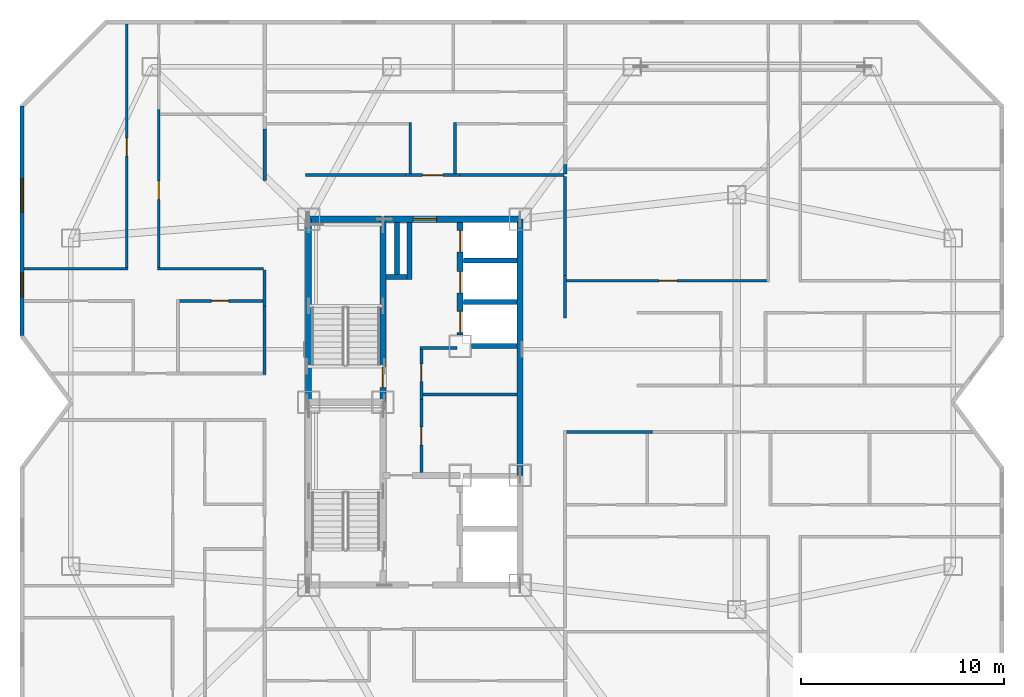
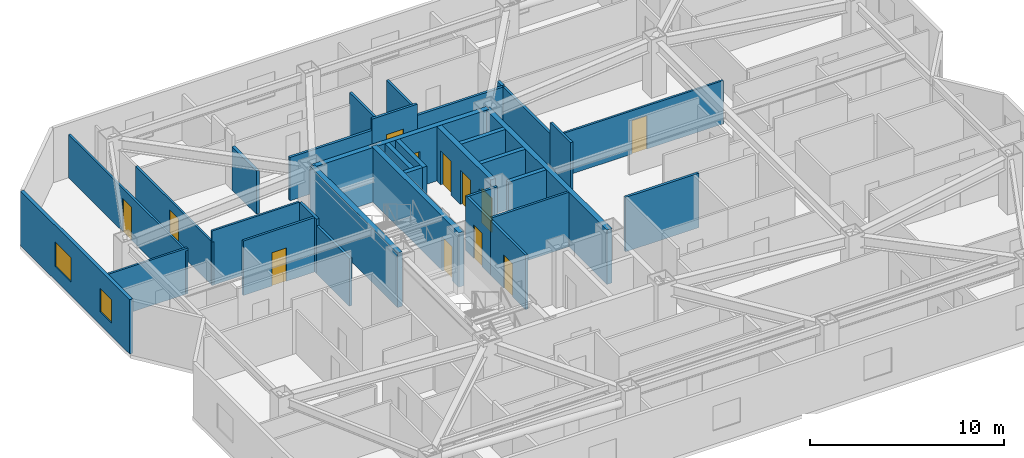
# One storey, part 7 of 11: 34 walls, 12 doors, 2 windows, 14 openings.
"""IFC4 building model written with IfcOpenShell, lengths in metres."""

from ifc_helpers import new_model, si_unit, direction, frame, frame_2d, origin, place, context, subcontext, project, spatial, rectangle, extrude, material, layer, layer_set, type_object, element, fill, save


model = new_model("IFC4")

# Units and contexts
model_context = context("Model", 3, precision=1e-05, world=origin(), true_north=direction((0.0, 1.0)))
body_context = subcontext(model_context, "Body", "Model", "MODEL_VIEW")
ifc_project = project(units=[si_unit("LENGTHUNIT", "METRE"), si_unit("AREAUNIT", "SQUARE_METRE"), si_unit("VOLUMEUNIT", "CUBIC_METRE"), si_unit("PLANEANGLEUNIT", "RADIAN"), si_unit("MASSUNIT", "GRAM", prefix="KILO")], contexts=[model_context])

# Site, building, storey
site_placement = place(None, origin())
site = spatial("IfcSite", under=ifc_project, at=site_placement, CompositionType="ELEMENT")
building_placement = place(site_placement, origin())
building = spatial("IfcBuilding", under=site, at=building_placement, Name="Khamvora Tower", CompositionType="ELEMENT")
storey_placement = place(building_placement, frame((0.0, 0.0, 163.199951171875)))
storey = spatial("IfcBuildingStorey", under=building, at=storey_placement, Name="L41", CompositionType="ELEMENT", Elevation=163.199951171875)

# Wall
ifc_material_1 = material(Name="Concrete C50/60", Category="concrete")
ifc_layer_1 = layer(ifc_material_1, 0.300048828125)
ifc_layer_set_1 = layer_set([ifc_layer_1], Name="Concrete C50/60")
wall_type_1 = type_object("IfcWallType", Name="WAL-CORE-300", PredefinedType="SHEAR", material=ifc_layer_set_1)
wall_1_placement = place(storey_placement, frame((29.0, 28.0, 0.0), z_axis=(0.0, 0.0, 1.0), x_axis=(0.0, 1.0, 0.0)))
element("IfcWall", 1, at=wall_1_placement, inside=storey, type_object=wall_type_1, Name="L41 central core west north wall", PredefinedType="SHEAR", context=body_context, shape_type="SweptSolid", body=[
    extrude(rectangle(XDim=9.0, YDim=0.300048828125, at=frame_2d((4.5, 0.0))), origin(), (0.0, 0.0, 1.0), 3.429931640625),
])

# Wall, opening, door
wall_2_placement = place(storey_placement, frame((29.0, 37.0, 0.0), z_axis=(0.0, 0.0, 1.0), x_axis=(1.0, 0.0, 0.0)))
wall_2 = element("IfcWall", 2, at=wall_2_placement, inside=storey, type_object=wall_type_1, Name="L41 central core north wall", PredefinedType="SHEAR", context=body_context, shape_type="SweptSolid", body=[
    extrude(rectangle(XDim=10.39990234375, YDim=0.300048828125, at=frame_2d((5.199951171875, 0.0))), origin(), (0.0, 0.0, 1.0), 3.429931640625),
])
opening_1_placement = place(wall_2_placement, frame((5.139892578125, 0.0, 0.0)))
opening_1 = element("IfcOpeningElement", 3, at=opening_1_placement, cuts=wall_2, Name="Opening D-SC1", PredefinedType="OPENING", context=body_context, shape_type="SweptSolid", body=[
    extrude(rectangle(XDim=1.14990234375, YDim=2.199951171875, at=frame_2d((0.574951171875, 1.10009765625))), frame((0.0, 0.159912109375, 0.0), z_axis=(0.0, -1.0, 0.0), x_axis=(1.0, 0.0, 0.0)), (0.0, 0.0, 1.0), 0.320068359375),
])
ifc_material_2 = material(Name="Powder-Coated Steel and Hardwood Leaf", Category="steel")
door_type_1 = type_object("IfcDoorType", Name="DOR-SCHL-1150", OperationType="NOTDEFINED", PredefinedType="DOOR", material=ifc_material_2)
door_1_placement = place(opening_1_placement, origin())
door_1 = element("IfcDoor", 4, at=door_1_placement, inside=storey, type_object=door_type_1, Name="L41 north core lobby to corridor fire door", OperationType="SINGLE_SWING_RIGHT", OverallHeight=2.199951171875, OverallWidth=1.14990234375, PredefinedType="DOOR", context=body_context, shape_type="SweptSolid", body=[
    extrude(rectangle(XDim=1.14990234375, YDim=2.199951171875, at=frame_2d((0.574951171875, 1.10009765625))), frame((0.0, 0.02490234375, 0.0), z_axis=(0.0, -1.0, 0.0), x_axis=(1.0, 0.0, 0.0)), (0.0, 0.0, 1.0), 0.050048828125),
])
fill(opening_1, door_1)

# Wall
wall_3_placement = place(storey_placement, frame((39.39990234375, 24.39990234375, 0.0), z_axis=(0.0, 0.0, 1.0), x_axis=(0.0, 1.0, 0.0)))
element("IfcWall", 5, at=wall_3_placement, inside=storey, type_object=wall_type_1, Name="L41 central core east north wall", PredefinedType="SHEAR", context=body_context, shape_type="SweptSolid", body=[
    extrude(rectangle(XDim=12.60009765625, YDim=0.300048828125, at=frame_2d((6.300048828125, 0.0))), origin(), (0.0, 0.0, 1.0), 3.429931640625),
])

# Wall, opening, door
wall_4_placement = place(storey_placement, frame((32.64990234375, 28.0, 0.0), z_axis=(0.0, 0.0, 1.0), x_axis=(0.0, 1.0, 0.0)))
wall_4 = element("IfcWall", 6, at=wall_4_placement, inside=storey, type_object=wall_type_1, Name="L41 central core stair north spine wall", PredefinedType="SHEAR", context=body_context, shape_type="SweptSolid", body=[
    extrude(rectangle(XDim=9.0, YDim=0.300048828125, at=frame_2d((4.5, 0.0))), origin(), (0.0, 0.0, 1.0), 3.429931640625),
])
opening_2_placement = place(wall_4_placement, frame((0.719970703125, 0.0, 0.0)))
opening_2 = element("IfcOpeningElement", 7, at=opening_2_placement, cuts=wall_4, Name="Opening D-ST1", PredefinedType="OPENING", context=body_context, shape_type="SweptSolid", body=[
    extrude(rectangle(XDim=1.0, YDim=2.14990234375, at=frame_2d((0.5, 1.074951171875))), frame((0.0, 0.159912109375, 0.0), z_axis=(0.0, -1.0, 0.0), x_axis=(1.0, 0.0, 0.0)), (0.0, 0.0, 1.0), 0.320068359375),
])
door_type_2 = type_object("IfcDoorType", Name="DOR-STAIR-1000", OperationType="NOTDEFINED", PredefinedType="DOOR", material=ifc_material_2)
door_2_placement = place(opening_2_placement, origin())
door_2 = element("IfcDoor", 8, at=door_2_placement, inside=storey, type_object=door_type_2, Name="L41 exit stair ST-02 fire door", OperationType="SINGLE_SWING_RIGHT", OverallHeight=2.14990234375, OverallWidth=1.0, PredefinedType="DOOR", context=body_context, shape_type="SweptSolid", body=[
    extrude(rectangle(XDim=1.0, YDim=2.14990234375, at=frame_2d((0.5, 1.074951171875))), frame((0.0, 0.02490234375, 0.0), z_axis=(0.0, -1.0, 0.0), x_axis=(1.0, 0.0, 0.0)), (0.0, 0.0, 1.0), 0.050048828125),
])
fill(opening_2, door_2)

# Wall, openings, doors
wall_5_placement = place(storey_placement, frame((36.449951171875, 31.300048828125, 0.0), z_axis=(0.0, 0.0, 1.0), x_axis=(0.0, 1.0, 0.0)))
wall_5 = element("IfcWall", 9, at=wall_5_placement, inside=storey, type_object=wall_type_1, Name="L41 central core lift bank central wall", PredefinedType="SHEAR", context=body_context, shape_type="SweptSolid", body=[
    extrude(rectangle(XDim=5.5458984375, YDim=0.300048828125, at=frame_2d((2.77294921875, 0.0))), origin(), (0.0, 0.0, 1.0), 3.429931640625),
])
opening_3_placement = place(wall_5_placement, frame((0.1201171875, 0.0, 0.0)))
opening_3 = element("IfcOpeningElement", 10, at=opening_3_placement, cuts=wall_5, Name="Opening LD-PL", PredefinedType="OPENING", context=body_context, shape_type="SweptSolid", body=[
    extrude(rectangle(XDim=1.050048828125, YDim=2.14990234375, at=frame_2d((0.52490234375, 1.074951171875))), frame((0.0, 0.159912109375, 0.0), z_axis=(0.0, -1.0, 0.0), x_axis=(1.0, 0.0, 0.0)), (0.0, 0.0, 1.0), 0.320068359375),
])
opening_4_placement = place(wall_5_placement, frame((2.074951171875, 0.0, 0.0)))
opening_4 = element("IfcOpeningElement", 11, at=opening_4_placement, cuts=wall_5, Name="Opening LD-PL", PredefinedType="OPENING", context=body_context, shape_type="SweptSolid", body=[
    extrude(rectangle(XDim=1.050048828125, YDim=2.14990234375, at=frame_2d((0.52490234375, 1.074951171875))), frame((0.0, 0.159912109375, 0.0), z_axis=(0.0, -1.0, 0.0), x_axis=(1.0, 0.0, 0.0)), (0.0, 0.0, 1.0), 0.320068359375),
])
opening_5_placement = place(wall_5_placement, frame((4.094970703125, 0.0, 0.0)))
opening_5 = element("IfcOpeningElement", 12, at=opening_5_placement, cuts=wall_5, Name="Opening LD-PL", PredefinedType="OPENING", context=body_context, shape_type="SweptSolid", body=[
    extrude(rectangle(XDim=1.050048828125, YDim=2.14990234375, at=frame_2d((0.52490234375, 1.074951171875))), frame((0.0, 0.159912109375, 0.0), z_axis=(0.0, -1.0, 0.0), x_axis=(1.0, 0.0, 0.0)), (0.0, 0.0, 1.0), 0.320068359375),
])
door_type_3 = type_object("IfcDoorType", Name="DOR-LIFT-1050", OperationType="SLIDING_TO_LEFT", PredefinedType="DOOR", material=ifc_material_2)
door_3_placement = place(opening_3_placement, origin())
door_3 = element("IfcDoor", 13, at=door_3_placement, inside=storey, type_object=door_type_3, Name="L41 lift landing sliding door PH-01", OperationType="SLIDING_TO_LEFT", OverallHeight=2.14990234375, OverallWidth=1.050048828125, PredefinedType="DOOR", context=body_context, shape_type="SweptSolid", body=[
    extrude(rectangle(XDim=1.050048828125, YDim=2.14990234375, at=frame_2d((0.52490234375, 1.074951171875))), frame((0.0, 0.02490234375, 0.0), z_axis=(0.0, -1.0, 0.0), x_axis=(1.0, 0.0, 0.0)), (0.0, 0.0, 1.0), 0.050048828125),
])
fill(opening_3, door_3)
door_4_placement = place(opening_4_placement, origin())
door_4 = element("IfcDoor", 14, at=door_4_placement, inside=storey, type_object=door_type_3, Name="L41 lift landing sliding door PH-02", OperationType="SLIDING_TO_LEFT", OverallHeight=2.14990234375, OverallWidth=1.050048828125, PredefinedType="DOOR", context=body_context, shape_type="SweptSolid", body=[
    extrude(rectangle(XDim=1.050048828125, YDim=2.14990234375, at=frame_2d((0.52490234375, 1.074951171875))), frame((0.0, 0.02490234375, 0.0), z_axis=(0.0, -1.0, 0.0), x_axis=(1.0, 0.0, 0.0)), (0.0, 0.0, 1.0), 0.050048828125),
])
fill(opening_4, door_4)
door_5_placement = place(opening_5_placement, origin())
door_5 = element("IfcDoor", 15, at=door_5_placement, inside=storey, type_object=door_type_3, Name="L41 lift landing sliding door PH-03", OperationType="SLIDING_TO_LEFT", OverallHeight=2.14990234375, OverallWidth=1.050048828125, PredefinedType="DOOR", context=body_context, shape_type="SweptSolid", body=[
    extrude(rectangle(XDim=1.050048828125, YDim=2.14990234375, at=frame_2d((0.52490234375, 1.074951171875))), frame((0.0, 0.02490234375, 0.0), z_axis=(0.0, -1.0, 0.0), x_axis=(1.0, 0.0, 0.0)), (0.0, 0.0, 1.0), 0.050048828125),
])
fill(opening_5, door_5)

# Wall
ifc_material_3 = material(Name="Fire-Rated Drywall and Steel Stud", Category="steel")
ifc_layer_2 = layer(ifc_material_3, 0.14990234375)
ifc_layer_set_2 = layer_set([ifc_layer_2], Name="Fire-Rated Drywall and Steel Stud")
wall_type_2 = type_object("IfcWallType", Name="WAL-CORR-150", PredefinedType="STANDARD", material=ifc_layer_set_2)
wall_6_placement = place(storey_placement, frame((36.300048828125, 30.6650390625, 0.0), z_axis=(0.0, 0.0, 1.0), x_axis=(-1.0, 0.0, 0.0)))
element("IfcWall", 16, at=wall_6_placement, inside=storey, type_object=wall_type_2, Name="L41 interior partition wall 001", PredefinedType="STANDARD", context=body_context, shape_type="SweptSolid", body=[
    extrude(rectangle(XDim=1.820068359375, YDim=0.14990234375, at=frame_2d((0.91015625, 0.0))), origin(), (0.0, 0.0, 1.0), 3.429931640625),
])

# Wall, opening, door
wall_7_placement = place(storey_placement, frame((34.544921875, 30.72998046875, 0.0), z_axis=(0.0, 0.0, 1.0), x_axis=(0.0, -1.0, 0.0)))
wall_7 = element("IfcWall", 17, at=wall_7_placement, inside=storey, type_object=wall_type_2, Name="L41 interior partition wall 002", PredefinedType="STANDARD", context=body_context, shape_type="SweptSolid", body=[
    extrude(rectangle(XDim=2.593994140625, YDim=0.14990234375, at=frame_2d((1.296875, 0.0))), origin(), (0.0, 0.0, 1.0), 3.429931640625),
])
opening_6_placement = place(wall_7_placement, frame((0.85107421875, 0.0, 0.0)))
opening_6 = element("IfcOpeningElement", 18, at=opening_6_placement, cuts=wall_7, Name="Opening D-WC1", PredefinedType="OPENING", context=body_context, shape_type="SweptSolid", body=[
    extrude(rectangle(XDim=0.85009765625, YDim=2.10009765625, at=frame_2d((0.425048828125, 1.050048828125))), frame((0.0, 0.0849609375, 0.0), z_axis=(0.0, -1.0, 0.0), x_axis=(1.0, 0.0, 0.0)), (0.0, 0.0, 1.0), 0.169921875),
])
door_type_4 = type_object("IfcDoorType", Name="DOR-WET-850", OperationType="NOTDEFINED", PredefinedType="DOOR", material=ifc_material_2)
door_6_placement = place(opening_6_placement, origin())
door_6 = element("IfcDoor", 19, at=door_6_placement, inside=storey, type_object=door_type_4, Name="L41 interior door PHL-CS1", OperationType="SINGLE_SWING_LEFT", OverallHeight=2.10009765625, OverallWidth=0.85009765625, PredefinedType="DOOR", context=body_context, shape_type="SweptSolid", body=[
    extrude(rectangle(XDim=0.85009765625, YDim=2.10009765625, at=frame_2d((0.425048828125, 1.050048828125))), frame((0.0, 0.02490234375, 0.0), z_axis=(0.0, -1.0, 0.0), x_axis=(1.0, 0.0, 0.0)), (0.0, 0.0, 1.0), 0.050048828125),
])
fill(opening_6, door_6)

wall_8_placement = place(storey_placement, frame((34.544921875, 28.135986328125, 0.0), z_axis=(0.0, 0.0, 1.0), x_axis=(0.0, -1.0, 0.0)))
wall_8 = element("IfcWall", 20, at=wall_8_placement, inside=storey, type_object=wall_type_2, Name="L41 interior partition wall 003", PredefinedType="STANDARD", context=body_context, shape_type="SweptSolid", body=[
    extrude(rectangle(XDim=3.592041015625, YDim=0.14990234375, at=frame_2d((1.7958984375, 0.0))), origin(), (0.0, 0.0, 1.0), 3.429931640625),
])
opening_7_placement = place(wall_8_placement, frame((1.345947265625, 0.0, 0.0)))
opening_7 = element("IfcOpeningElement", 21, at=opening_7_placement, cuts=wall_8, Name="Opening D-RM1", PredefinedType="OPENING", context=body_context, shape_type="SweptSolid", body=[
    extrude(rectangle(XDim=0.89990234375, YDim=2.10009765625, at=frame_2d((0.449951171875, 1.050048828125))), frame((0.0, 0.0849609375, 0.0), z_axis=(0.0, -1.0, 0.0), x_axis=(1.0, 0.0, 0.0)), (0.0, 0.0, 1.0), 0.169921875),
])
door_type_5 = type_object("IfcDoorType", Name="DOR-ROOM-900", OperationType="NOTDEFINED", PredefinedType="DOOR", material=ifc_material_2)
door_7_placement = place(opening_7_placement, origin())
door_7 = element("IfcDoor", 22, at=door_7_placement, inside=storey, type_object=door_type_5, Name="L41 interior door PHL-CS2", OperationType="SINGLE_SWING_RIGHT", OverallHeight=2.10009765625, OverallWidth=0.89990234375, PredefinedType="DOOR", context=body_context, shape_type="SweptSolid", body=[
    extrude(rectangle(XDim=0.89990234375, YDim=2.10009765625, at=frame_2d((0.449951171875, 1.050048828125))), frame((0.0, 0.02490234375, 0.0), z_axis=(0.0, -1.0, 0.0), x_axis=(1.0, 0.0, 0.0)), (0.0, 0.0, 1.0), 0.050048828125),
])
fill(opening_7, door_7)

# Walls
wall_9_placement = place(storey_placement, frame((26.8349609375, 32.73388671875, 0.0), z_axis=(0.0, 0.0, 1.0), x_axis=(0.0, 1.0, 0.0)))
element("IfcWall", 23, at=wall_9_placement, inside=storey, type_object=wall_type_2, Name="L41 interior partition wall 012", PredefinedType="STANDARD", context=body_context, shape_type="SweptSolid", body=[
    extrude(rectangle(XDim=1.76611328125, YDim=0.14990234375, at=frame_2d((0.883056640625, 0.0))), origin(), (0.0, 0.0, 1.0), 3.429931640625),
])
wall_10_placement = place(storey_placement, frame((26.8349609375, 29.35205078125, 0.0), z_axis=(0.0, 0.0, 1.0), x_axis=(0.0, 1.0, 0.0)))
element("IfcWall", 24, at=wall_10_placement, inside=storey, type_object=wall_type_2, Name="L41 interior partition wall 014", PredefinedType="STANDARD", context=body_context, shape_type="SweptSolid", body=[
    extrude(rectangle(XDim=3.3818359375, YDim=0.14990234375, at=frame_2d((1.69091796875, 0.0))), origin(), (0.0, 0.0, 1.0), 3.012939453125),
])

# Wall, opening, door
wall_11_placement = place(storey_placement, frame((33.75, 39.1650390625, 0.0), z_axis=(0.0, 0.0, 1.0), x_axis=(1.0, 0.0, 0.0)))
wall_11 = element("IfcWall", 25, at=wall_11_placement, inside=storey, type_object=wall_type_2, Name="L41 interior partition wall 019", PredefinedType="STANDARD", context=body_context, shape_type="SweptSolid", body=[
    extrude(rectangle(XDim=2.697998046875, YDim=0.14990234375, at=frame_2d((1.34912109375, 0.0))), origin(), (0.0, 0.0, 1.0), 3.429931640625),
])
opening_8_placement = place(wall_11_placement, frame((0.84912109375, 0.0, 0.0)))
opening_8 = element("IfcOpeningElement", 26, at=opening_8_placement, cuts=wall_11, Name="Opening D-U1", PredefinedType="OPENING", context=body_context, shape_type="SweptSolid", body=[
    extrude(rectangle(XDim=1.0, YDim=2.14990234375, at=frame_2d((0.5, 1.074951171875))), frame((0.0, 0.0849609375, 0.0), z_axis=(0.0, -1.0, 0.0), x_axis=(1.0, 0.0, 0.0)), (0.0, 0.0, 1.0), 0.169921875),
])
door_type_6 = type_object("IfcDoorType", Name="DOR-UNIT-1000", OperationType="NOTDEFINED", PredefinedType="DOOR", material=ifc_material_2)
door_8_placement = place(opening_8_placement, origin())
door_8 = element("IfcDoor", 27, at=door_8_placement, inside=storey, type_object=door_type_6, Name="L41 interior door COR-41NAH", OperationType="SINGLE_SWING_RIGHT", OverallHeight=2.14990234375, OverallWidth=1.0, PredefinedType="DOOR", context=body_context, shape_type="SweptSolid", body=[
    extrude(rectangle(XDim=1.0, YDim=2.14990234375, at=frame_2d((0.5, 1.074951171875))), frame((0.0, 0.02490234375, 0.0), z_axis=(0.0, -1.0, 0.0), x_axis=(1.0, 0.0, 0.0)), (0.0, 0.0, 1.0), 0.050048828125),
])
fill(opening_8, door_8)

# Walls
wall_12_placement = place(storey_placement, frame((36.447998046875, 39.1650390625, 0.0), z_axis=(0.0, 0.0, 1.0), x_axis=(1.0, 0.0, 0.0)))
element("IfcWall", 28, at=wall_12_placement, inside=storey, type_object=wall_type_2, Name="L41 interior partition wall 020", PredefinedType="STANDARD", context=body_context, shape_type="SweptSolid", body=[
    extrude(rectangle(XDim=5.10205078125, YDim=0.14990234375, at=frame_2d((2.551025390625, 0.0))), origin(), (0.0, 0.0, 1.0), 2.72509765625),
])
wall_13_placement = place(storey_placement, frame((28.85009765625, 39.1650390625, 0.0), z_axis=(0.0, 0.0, 1.0), x_axis=(1.0, 0.0, 0.0)))
element("IfcWall", 29, at=wall_13_placement, inside=storey, type_object=wall_type_2, Name="L41 interior partition wall 021", PredefinedType="STANDARD", context=body_context, shape_type="SweptSolid", body=[
    extrude(rectangle(XDim=4.89990234375, YDim=0.14990234375, at=frame_2d((2.449951171875, 0.0))), origin(), (0.0, 0.0, 1.0), 2.72509765625),
])
wall_14_placement = place(storey_placement, frame((45.902099609375, 26.534912109375, 0.0), z_axis=(0.0, 0.0, 1.0), x_axis=(-1.0, 0.0, 0.0)))
element("IfcWall", 30, at=wall_14_placement, inside=storey, type_object=wall_type_2, Name="L41 interior partition wall 022", PredefinedType="STANDARD", context=body_context, shape_type="SweptSolid", body=[
    extrude(rectangle(XDim=4.35205078125, YDim=0.14990234375, at=frame_2d((2.176025390625, 0.0))), origin(), (0.0, 0.0, 1.0), 3.429931640625),
])
wall_15_placement = place(storey_placement, frame((41.614990234375, 34.22412109375, 0.0), z_axis=(0.0, 0.0, 1.0), x_axis=(0.0, -1.0, 0.0)))
element("IfcWall", 31, at=wall_15_placement, inside=storey, type_object=wall_type_2, Name="L41 interior partition wall 031", PredefinedType="STANDARD", context=body_context, shape_type="SweptSolid", body=[
    extrude(rectangle(XDim=2.078125, YDim=0.14990234375, at=frame_2d((1.0390625, 0.0))), origin(), (0.0, 0.0, 1.0), 3.429931640625),
])
wall_16_placement = place(storey_placement, frame((41.614990234375, 39.10009765625, 0.0), z_axis=(0.0, 0.0, 1.0), x_axis=(0.0, -1.0, 0.0)))
element("IfcWall", 32, at=wall_16_placement, inside=storey, type_object=wall_type_2, Name="L41 interior partition wall 035", PredefinedType="STANDARD", context=body_context, shape_type="SweptSolid", body=[
    extrude(rectangle(XDim=4.8759765625, YDim=0.14990234375, at=frame_2d((2.43798828125, 0.0))), origin(), (0.0, 0.0, 1.0), 2.72509765625),
])
ifc_material_4 = material(Name="Acoustic Double-Stud Fire Wall", Category="gypsum")
ifc_layer_3 = layer(ifc_material_4, 0.179931640625)
ifc_layer_set_3 = layer_set([ifc_layer_3], Name="Acoustic Double-Stud Fire Wall")
wall_type_3 = type_object("IfcWallType", Name="WAL-CORR-180", PredefinedType="STANDARD", material=ifc_layer_set_3)
wall_17_placement = place(storey_placement, frame((26.8349609375, 41.446044921875, 0.0), z_axis=(0.0, 0.0, 1.0), x_axis=(0.0, -1.0, 0.0)))
element("IfcWall", 33, at=wall_17_placement, inside=storey, type_object=wall_type_3, Name="L41 interior partition wall 060", PredefinedType="STANDARD", context=body_context, shape_type="SweptSolid", body=[
    extrude(rectangle(XDim=2.530029296875, YDim=0.179931640625, at=frame_2d((1.26513671875, 0.0))), origin(), (0.0, 0.0, 1.0), 2.72509765625),
])
wall_18_placement = place(storey_placement, frame((41.614990234375, 39.700927734375, 0.0), z_axis=(0.0, 0.0, 1.0), x_axis=(0.0, -1.0, 0.0)))
element("IfcWall", 34, at=wall_18_placement, inside=storey, type_object=wall_type_3, Name="L41 interior partition wall 081", PredefinedType="STANDARD", context=body_context, shape_type="SweptSolid", body=[
    extrude(rectangle(XDim=0.470947265625, YDim=0.179931640625, at=frame_2d((0.2353515625, 0.0))), origin(), (0.0, 0.0, 1.0), 2.72509765625),
])

# Wall, openings, windows
ifc_material_5 = material(Name="Precast concrete C40/50", Category="concrete")
ifc_layer_4 = layer(ifc_material_5, 0.199951171875)
ifc_layer_set_4 = layer_set([ifc_layer_4], Name="Precast concrete C40/50")
wall_type_4 = type_object("IfcWallType", Name="WAL-EXT-200", PredefinedType="STANDARD", material=ifc_layer_set_4)
wall_19_placement = place(storey_placement, frame((14.89990234375, 31.283935546875, 0.0), z_axis=(0.0, 0.0, 1.0), x_axis=(0.0, 1.0, 0.0)))
wall_19 = element("IfcWall", 35, at=wall_19_placement, inside=storey, type_object=wall_type_4, Name="L41 exterior facade wall 05.1", PredefinedType="STANDARD", context=body_context, shape_type="SweptSolid", body=[
    extrude(rectangle(XDim=11.275146484375, YDim=0.199951171875, at=frame_2d((5.6376953125, 0.0))), origin(), (0.0, 0.0, 1.0), 3.429931640625),
])
opening_9_placement = place(wall_19_placement, frame((1.888916015625, 0.0, 0.800048828125)))
opening_9 = element("IfcOpeningElement", 36, at=opening_9_placement, cuts=wall_19, Name="Opening WN-03", PredefinedType="OPENING", context=body_context, shape_type="SweptSolid", body=[
    extrude(rectangle(XDim=1.199951171875, YDim=1.5, at=frame_2d((0.60009765625, 0.75))), frame((0.0, 0.10986328125, 0.0), z_axis=(0.0, -1.0, 0.0), x_axis=(1.0, 0.0, 0.0)), (0.0, 0.0, 1.0), 0.219970703125),
])
opening_10_placement = place(wall_19_placement, frame((6.06005859375, 0.0, 0.85009765625)))
opening_10 = element("IfcOpeningElement", 37, at=opening_10_placement, cuts=wall_19, Name="Opening WN-06", PredefinedType="OPENING", context=body_context, shape_type="SweptSolid", body=[
    extrude(rectangle(XDim=1.64990234375, YDim=1.550048828125, at=frame_2d((0.824951171875, 0.77490234375))), frame((0.0, 0.10986328125, 0.0), z_axis=(0.0, -1.0, 0.0), x_axis=(1.0, 0.0, 0.0)), (0.0, 0.0, 1.0), 0.219970703125),
])
ifc_material_6 = material(Name="Low-E Laminated Double Glazing", Category="glass")
window_type_1 = type_object("IfcWindowType", Name="WIN-VIS-1200x1500", PartitioningType="SINGLE_PANEL", PredefinedType="WINDOW", material=ifc_material_6)
window_1_placement = place(opening_9_placement, origin())
window_1 = element("IfcWindow", 38, at=window_1_placement, inside=storey, type_object=window_type_1, Name="L41 vision window 05.1.01", OverallHeight=1.5, OverallWidth=1.199951171875, PartitioningType="SINGLE_PANEL", PredefinedType="WINDOW", context=body_context, shape_type="SweptSolid", body=[
    extrude(rectangle(XDim=1.199951171875, YDim=1.5, at=frame_2d((0.60009765625, 0.75))), frame((0.0, 0.030029296875, 0.0), z_axis=(0.0, -1.0, 0.0), x_axis=(1.0, 0.0, 0.0)), (0.0, 0.0, 1.0), 0.06005859375),
])
fill(opening_9, window_1)
window_type_2 = type_object("IfcWindowType", Name="WIN-VIS-1650x1550", PartitioningType="SINGLE_PANEL", PredefinedType="WINDOW", material=ifc_material_6)
window_2_placement = place(opening_10_placement, origin())
window_2 = element("IfcWindow", 39, at=window_2_placement, inside=storey, type_object=window_type_2, Name="L41 vision window 05.1.02", OverallHeight=1.550048828125, OverallWidth=1.64990234375, PartitioningType="SINGLE_PANEL", PredefinedType="WINDOW", context=body_context, shape_type="SweptSolid", body=[
    extrude(rectangle(XDim=1.64990234375, YDim=1.550048828125, at=frame_2d((0.824951171875, 0.77490234375))), frame((0.0, 0.030029296875, 0.0), z_axis=(0.0, -1.0, 0.0), x_axis=(1.0, 0.0, 0.0)), (0.0, 0.0, 1.0), 0.06005859375),
])
fill(opening_10, window_2)

# Wall
ifc_material_7 = material(Name="Gypsum Plasterboard Partition", Category="gypsum")
ifc_layer_5 = layer(ifc_material_7, 0.1201171875)
ifc_layer_set_5 = layer_set([ifc_layer_5], Name="Gypsum Plasterboard Partition")
wall_type_5 = type_object("IfcWallType", Name="WAL-PART-120", PredefinedType="PARTITIONING", material=ifc_layer_set_5)
wall_20_placement = place(storey_placement, frame((14.991943359375, 34.56298828125, 0.0), z_axis=(0.0, 0.0, 1.0), x_axis=(1.0, 0.0, 0.0)))
element("IfcWall", 40, at=wall_20_placement, inside=storey, type_object=wall_type_5, Name="L41 interior partition wall 053", PredefinedType="PARTITIONING", context=body_context, shape_type="SweptSolid", body=[
    extrude(rectangle(XDim=5.128173828125, YDim=0.1201171875, at=frame_2d((2.56396484375, 0.0))), origin(), (0.0, 0.0, 1.0), 2.8759765625),
])

# Wall, opening, door
wall_21_placement = place(storey_placement, frame((20.054931640625, 34.498046875, 0.0), z_axis=(0.0, 0.0, 1.0), x_axis=(0.0, 1.0, 0.0)))
wall_21 = element("IfcWall", 41, at=wall_21_placement, inside=storey, type_object=wall_type_5, Name="L41 interior partition wall 054", PredefinedType="PARTITIONING", context=body_context, shape_type="SweptSolid", body=[
    extrude(rectangle(XDim=12.10986328125, YDim=0.1201171875, at=frame_2d((6.054931640625, 0.0))), origin(), (0.0, 0.0, 1.0), 2.72509765625),
])
opening_11_placement = place(wall_21_placement, frame((5.60498046875, 0.0, 0.0)))
opening_11 = element("IfcOpeningElement", 42, at=opening_11_placement, cuts=wall_21, Name="Opening D-RM1", PredefinedType="OPENING", context=body_context, shape_type="SweptSolid", body=[
    extrude(rectangle(XDim=0.89990234375, YDim=2.10009765625, at=frame_2d((0.449951171875, 1.050048828125))), frame((0.0, 0.070068359375, 0.0), z_axis=(0.0, -1.0, 0.0), x_axis=(1.0, 0.0, 0.0)), (0.0, 0.0, 1.0), 0.14013671875),
])
door_9_placement = place(opening_11_placement, origin())
door_9 = element("IfcDoor", 43, at=door_9_placement, inside=storey, type_object=door_type_5, Name="L41 interior door 41WBH-41WBR1", OperationType="SINGLE_SWING_RIGHT", OverallHeight=2.10009765625, OverallWidth=0.89990234375, PredefinedType="DOOR", context=body_context, shape_type="SweptSolid", body=[
    extrude(rectangle(XDim=0.89990234375, YDim=2.10009765625, at=frame_2d((0.449951171875, 1.050048828125))), frame((0.0, 0.02490234375, 0.0), z_axis=(0.0, -1.0, 0.0), x_axis=(1.0, 0.0, 0.0)), (0.0, 0.0, 1.0), 0.050048828125),
])
fill(opening_11, door_9)

# Wall
wall_22_placement = place(storey_placement, frame((21.56005859375, 34.56298828125, 0.0), z_axis=(0.0, 0.0, 1.0), x_axis=(1.0, 0.0, 0.0)))
element("IfcWall", 44, at=wall_22_placement, inside=storey, type_object=wall_type_5, Name="L41 interior partition wall 055", PredefinedType="PARTITIONING", context=body_context, shape_type="SweptSolid", body=[
    extrude(rectangle(XDim=5.2099609375, YDim=0.1201171875, at=frame_2d((2.60498046875, 0.0))), origin(), (0.0, 0.0, 1.0), 3.429931640625),
])

# Wall, opening, door
wall_23_placement = place(storey_placement, frame((21.625, 42.404052734375, 0.0), z_axis=(0.0, 0.0, 1.0), x_axis=(0.0, -1.0, 0.0)))
wall_23 = element("IfcWall", 45, at=wall_23_placement, inside=storey, type_object=wall_type_5, Name="L41 interior partition wall 056", PredefinedType="PARTITIONING", context=body_context, shape_type="SweptSolid", body=[
    extrude(rectangle(XDim=7.906005859375, YDim=0.1201171875, at=frame_2d((3.953125, 0.0))), origin(), (0.0, 0.0, 1.0), 2.72509765625),
])
opening_12_placement = place(wall_23_placement, frame((3.52392578125, 0.0, 0.0)))
opening_12 = element("IfcOpeningElement", 46, at=opening_12_placement, cuts=wall_23, Name="Opening D-RM1", PredefinedType="OPENING", context=body_context, shape_type="SweptSolid", body=[
    extrude(rectangle(XDim=0.89990234375, YDim=2.10009765625, at=frame_2d((0.449951171875, 1.050048828125))), frame((0.0, 0.070068359375, 0.0), z_axis=(0.0, -1.0, 0.0), x_axis=(1.0, 0.0, 0.0)), (0.0, 0.0, 1.0), 0.14013671875),
])
door_10_placement = place(opening_12_placement, origin())
door_10 = element("IfcDoor", 47, at=door_10_placement, inside=storey, type_object=door_type_5, Name="L41 interior door 41WBH-41WBR2", OperationType="SINGLE_SWING_LEFT", OverallHeight=2.10009765625, OverallWidth=0.89990234375, PredefinedType="DOOR", context=body_context, shape_type="SweptSolid", body=[
    extrude(rectangle(XDim=0.89990234375, YDim=2.10009765625, at=frame_2d((0.449951171875, 1.050048828125))), frame((0.0, 0.02490234375, 0.0), z_axis=(0.0, -1.0, 0.0), x_axis=(1.0, 0.0, 0.0)), (0.0, 0.0, 1.0), 0.050048828125),
])
fill(opening_12, door_10)

wall_24_placement = place(storey_placement, frame((41.681884765625, 33.97509765625, 0.0), z_axis=(0.0, 0.0, 1.0), x_axis=(1.0, 0.0, 0.0)))
wall_24 = element("IfcWall", 48, at=wall_24_placement, inside=storey, type_object=wall_type_5, Name="L41 interior partition wall 109", PredefinedType="PARTITIONING", context=body_context, shape_type="SweptSolid", body=[
    extrude(rectangle(XDim=9.983154296875, YDim=0.1201171875, at=frame_2d((4.99169921875, 0.0))), origin(), (0.0, 0.0, 1.0), 2.72509765625),
])
opening_13_placement = place(wall_24_placement, frame((4.5419921875, 0.0, 0.0)))
opening_13 = element("IfcOpeningElement", 49, at=opening_13_placement, cuts=wall_24, Name="Opening D-RM1", PredefinedType="OPENING", context=body_context, shape_type="SweptSolid", body=[
    extrude(rectangle(XDim=0.89990234375, YDim=2.10009765625, at=frame_2d((0.449951171875, 1.050048828125))), frame((0.0, 0.070068359375, 0.0), z_axis=(0.0, -1.0, 0.0), x_axis=(1.0, 0.0, 0.0)), (0.0, 0.0, 1.0), 0.14013671875),
])
door_11_placement = place(opening_13_placement, origin())
door_11 = element("IfcDoor", 50, at=door_11_placement, inside=storey, type_object=door_type_5, Name="L41 interior door 41EBH-41EBR1", OperationType="SINGLE_SWING_LEFT", OverallHeight=2.10009765625, OverallWidth=0.89990234375, PredefinedType="DOOR", context=body_context, shape_type="SweptSolid", body=[
    extrude(rectangle(XDim=0.89990234375, YDim=2.10009765625, at=frame_2d((0.449951171875, 1.050048828125))), frame((0.0, 0.02490234375, 0.0), z_axis=(0.0, -1.0, 0.0), x_axis=(1.0, 0.0, 0.0)), (0.0, 0.0, 1.0), 0.050048828125),
])
fill(opening_13, door_11)

# Walls
ifc_material_8 = material(Name="Concrete C40/50", Category="concrete")
ifc_layer_6 = layer(ifc_material_8, 0.25)
ifc_layer_set_6 = layer_set([ifc_layer_6], Name="Concrete C40/50")
wall_type_6 = type_object("IfcWallType", Name="WAL-PODS-250", PredefinedType="SHEAR", material=ifc_layer_set_6)
wall_25_placement = place(storey_placement, frame((37.00390625, 30.77490234375, 0.0), z_axis=(0.0, 0.0, 1.0), x_axis=(1.0, 0.0, 0.0)))
element("IfcWall", 51, at=wall_25_placement, inside=storey, type_object=wall_type_6, Name="L41 high-rise lift shaft south enclosure wall PH-01", PredefinedType="SHEAR", context=body_context, shape_type="SweptSolid", body=[
    extrude(rectangle(XDim=2.2421875, YDim=0.25, at=frame_2d((1.12109375, 0.0))), origin(), (0.0, 0.0, 1.0), 3.429931640625),
])
for number, where, z_axis, x_axis, name in (
    (52, (36.60400390625, 32.925048828125, 0.0), (0.0, 0.0, 1.0), (1.0, 0.0, 0.0), "L41 lift shaft divider wall PH-01"),
    (53, (36.60400390625, 34.97509765625, 0.0), (0.0, 0.0, 1.0), (1.0, 0.0, 0.0), "L41 lift shaft divider wall PH-02"),
):
    element("IfcWall", number, at=place(storey_placement, frame(where, z_axis=z_axis, x_axis=x_axis)), inside=storey, type_object=wall_type_6, Name=name, PredefinedType="SHEAR", context=body_context, shape_type="SweptSolid", body=[
        extrude(rectangle(XDim=2.64208984375, YDim=0.25, at=frame_2d((1.321044921875, 0.0))), origin(), (0.0, 0.0, 1.0), 3.429931640625),
    ])
wall_26_placement = place(storey_placement, frame((33.955078125, 34.02490234375, 0.0), z_axis=(0.0, 0.0, 1.0), x_axis=(0.0, 1.0, 0.0)))
element("IfcWall", 54, at=wall_26_placement, inside=storey, type_object=wall_type_6, Name="L41 vertical MEP riser shaft east enclosure wall", PredefinedType="SHEAR", context=body_context, shape_type="SweptSolid", body=[
    extrude(rectangle(XDim=2.821044921875, YDim=0.25, at=frame_2d((1.41064453125, 0.0))), origin(), (0.0, 0.0, 1.0), 3.429931640625),
])
wall_27_placement = place(storey_placement, frame((32.803955078125, 34.14990234375, 0.0), z_axis=(0.0, 0.0, 1.0), x_axis=(1.0, 0.0, 0.0)))
element("IfcWall", 55, at=wall_27_placement, inside=storey, type_object=wall_type_6, Name="L41 vertical MEP riser shaft south enclosure wall", PredefinedType="SHEAR", context=body_context, shape_type="SweptSolid", body=[
    extrude(rectangle(XDim=1.02197265625, YDim=0.25, at=frame_2d((0.510986328125, 0.0))), origin(), (0.0, 0.0, 1.0), 3.429931640625),
])
wall_28_placement = place(storey_placement, frame((33.340087890625, 34.279052734375, 0.0), z_axis=(0.0, 0.0, 1.0), x_axis=(0.0, 1.0, 0.0)))
element("IfcWall", 56, at=wall_28_placement, inside=storey, type_object=wall_type_6, Name="L41 vertical MEP riser shaft divider enclosure wall", PredefinedType="SHEAR", context=body_context, shape_type="SweptSolid", body=[
    extrude(rectangle(XDim=2.56689453125, YDim=0.25, at=frame_2d((1.283447265625, 0.0))), origin(), (0.0, 0.0, 1.0), 3.429931640625),
])
ifc_material_9 = material(Name="Moisture-Resistant Plasterboard Partition", Category="gypsum")
ifc_layer_7 = layer(ifc_material_9, 0.135009765625)
ifc_layer_set_7 = layer_set([ifc_layer_7], Name="Moisture-Resistant Plasterboard Partition")
wall_type_7 = type_object("IfcWallType", Name="WAL-WET-135", PredefinedType="PARTITIONING", material=ifc_layer_set_7)
wall_29_placement = place(storey_placement, frame((39.256103515625, 28.385009765625, 0.0), z_axis=(0.0, 0.0, 1.0), x_axis=(-1.0, 0.0, 0.0)))
element("IfcWall", 57, at=wall_29_placement, inside=storey, type_object=wall_type_7, Name="L41 interior partition wall 004", PredefinedType="PARTITIONING", context=body_context, shape_type="SweptSolid", body=[
    extrude(rectangle(XDim=4.64404296875, YDim=0.135009765625, at=frame_2d((2.322021484375, 0.0))), origin(), (0.0, 0.0, 1.0), 3.429931640625),
])

# Wall, opening, door
wall_30_placement = place(storey_placement, frame((26.77001953125, 32.98291015625, 0.0), z_axis=(0.0, 0.0, 1.0), x_axis=(-1.0, 0.0, 0.0)))
wall_30 = element("IfcWall", 58, at=wall_30_placement, inside=storey, type_object=wall_type_7, Name="L41 interior partition wall 049", PredefinedType="PARTITIONING", context=body_context, shape_type="SweptSolid", body=[
    extrude(rectangle(XDim=4.259033203125, YDim=0.135009765625, at=frame_2d((2.12939453125, 0.0))), origin(), (0.0, 0.0, 1.0), 3.429931640625),
])
opening_14_placement = place(wall_30_placement, frame((1.705078125, 0.0, 0.0)))
opening_14 = element("IfcOpeningElement", 59, at=opening_14_placement, cuts=wall_30, Name="Opening D-WC1", PredefinedType="OPENING", context=body_context, shape_type="SweptSolid", body=[
    extrude(rectangle(XDim=0.85009765625, YDim=2.10009765625, at=frame_2d((0.425048828125, 1.050048828125))), frame((0.0, 0.077392578125, 0.0), z_axis=(0.0, -1.0, 0.0), x_axis=(1.0, 0.0, 0.0)), (0.0, 0.0, 1.0), 0.155029296875),
])
door_12_placement = place(opening_14_placement, origin())
door_12 = element("IfcDoor", 60, at=door_12_placement, inside=storey, type_object=door_type_4, Name="L41 interior door 41WBH-41WBB", OperationType="SINGLE_SWING_RIGHT", OverallHeight=2.10009765625, OverallWidth=0.85009765625, PredefinedType="DOOR", context=body_context, shape_type="SweptSolid", body=[
    extrude(rectangle(XDim=0.85009765625, YDim=2.10009765625, at=frame_2d((0.425048828125, 1.050048828125))), frame((0.0, 0.02490234375, 0.0), z_axis=(0.0, -1.0, 0.0), x_axis=(1.0, 0.0, 0.0)), (0.0, 0.0, 1.0), 0.050048828125),
])
fill(opening_14, door_12)

# Walls
for number, where, z_axis, x_axis, name in (
    (61, (36.198974609375, 41.760009765625, 0.0), (0.0, 0.0, 1.0), (0.0, -1.0, 0.0), "L41 interior partition wall 074"),
    (62, (33.9990234375, 39.23193359375, 0.0), (0.0, 0.0, 1.0), (0.0, 1.0, 0.0), "L41 interior partition wall 075"),
):
    element("IfcWall", number, at=place(storey_placement, frame(where, z_axis=z_axis, x_axis=x_axis)), inside=storey, type_object=wall_type_7, Name=name, PredefinedType="PARTITIONING", context=body_context, shape_type="SweptSolid", body=[
        extrude(rectangle(XDim=2.528076171875, YDim=0.135009765625, at=frame_2d((1.26416015625, 0.0))), origin(), (0.0, 0.0, 1.0), 3.429931640625),
    ])

save(model, "model.ifc")
